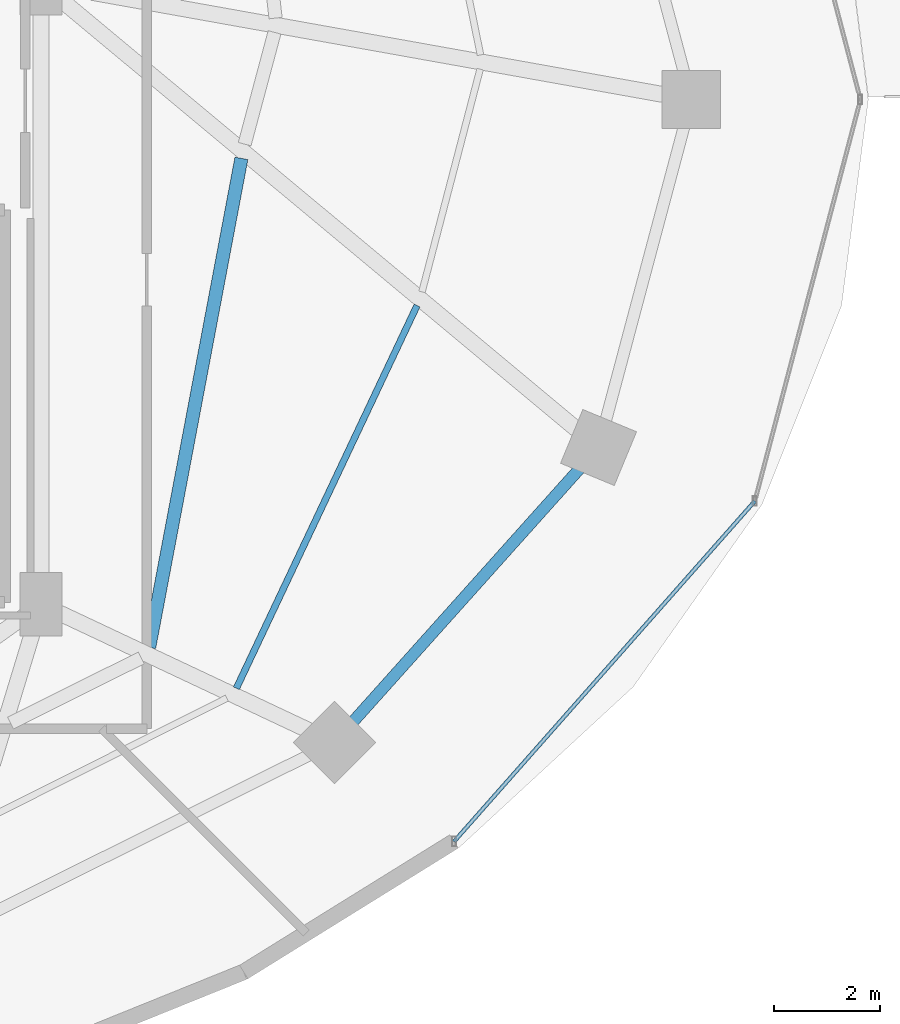
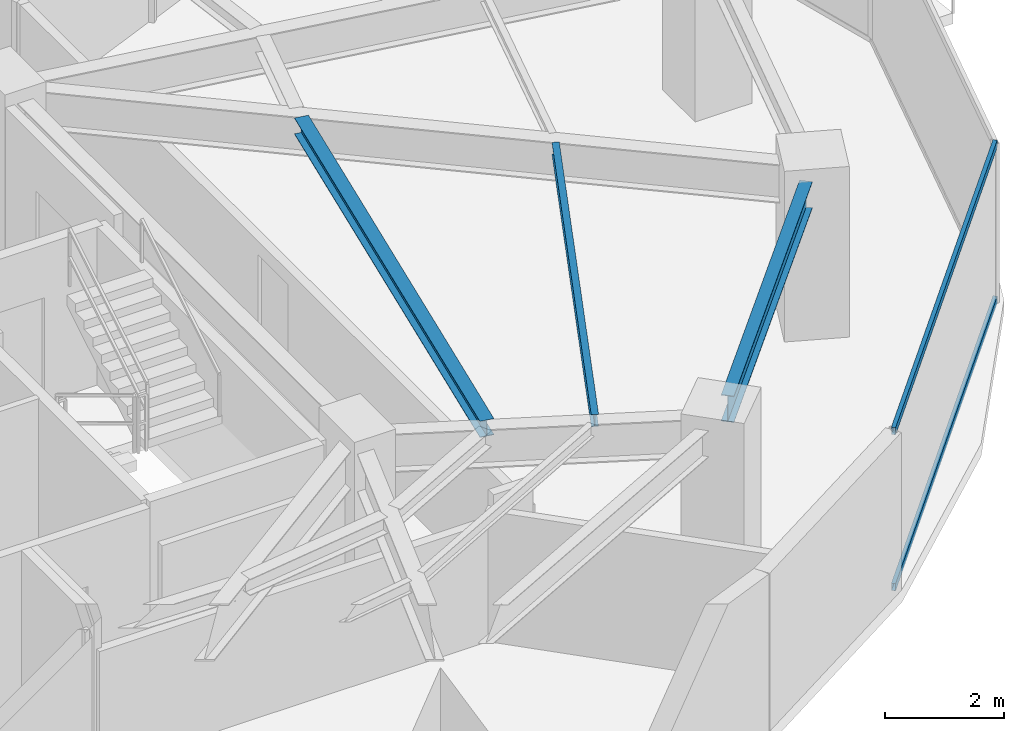
# One storey, part 13 of 31: 3 beams, 2 members, 1 element without a shape of its own.
"""IFC4 building model written with IfcOpenShell, lengths in metres."""

from ifc_helpers import new_model, si_unit, direction, frame, origin, origin_2d, place, context, subcontext, project, spatial, hollow_rectangle, i_section, extrude, material, material_profile, profile_set, type_object, element, aggregate, save


model = new_model("IFC4")

# Units and contexts
model_context = context("Model", 3, precision=1e-05, world=origin(), true_north=direction((0.0, 1.0)))
body_context = subcontext(model_context, "Body", "Model", "MODEL_VIEW")
ifc_project = project(units=[si_unit("LENGTHUNIT", "METRE"), si_unit("AREAUNIT", "SQUARE_METRE"), si_unit("VOLUMEUNIT", "CUBIC_METRE"), si_unit("PLANEANGLEUNIT", "RADIAN"), si_unit("MASSUNIT", "GRAM", prefix="KILO")], contexts=[model_context])

# Site, building, storey
site_placement = place(None, origin())
site = spatial("IfcSite", under=ifc_project, at=site_placement, CompositionType="ELEMENT")
building_placement = place(site_placement, origin())
building = spatial("IfcBuilding", under=site, at=building_placement, Name="Vorneva Point Tower", CompositionType="ELEMENT")
storey_placement = place(building_placement, frame((0.0, 0.0, 103.300048828125)))
storey = spatial("IfcBuildingStorey", under=building, at=storey_placement, Name="L27", CompositionType="ELEMENT", Elevation=103.300048828125)

# Beams
ifc_material_1 = material(Name="Steel S355", Category="steel")
ifc_material_profile_1 = material_profile(ifc_material_1, i_section(OverallWidth=0.1240234375, OverallDepth=0.248046875, WebThickness=0.0048828125, FlangeThickness=0.008056640625, at=origin_2d()), Name="25B1")
ifc_profile_set_1 = profile_set([ifc_material_profile_1], Name="Steel S355")
beam_type_1 = type_object("IfcBeamType", Name="BM-JST-25B1", PredefinedType="JOIST", material=ifc_profile_set_1)
beam_1_placement = place(storey_placement, frame((52.444580078125, 14.86328125, 3.115966796875), z_axis=(0.426826218091, 0.904333666049, 0.0), x_axis=(-0.904333666049, 0.426826218091, 0.0)))
element("IfcBeam", 1, at=beam_1_placement, inside=storey, type_object=beam_type_1, Name="L27 Secondary Floor Beam 1.15", PredefinedType="JOIST", context=body_context, shape_type="SweptSolid", body=[
    extrude(i_section(OverallWidth=0.1240234375, OverallDepth=0.248046875, WebThickness=0.0048828125, FlangeThickness=0.008056640625, at=origin_2d()), origin(), (0.0, 0.0, 1.0), 8.006103515625),
])
ifc_material_profile_2 = material_profile(ifc_material_1, i_section(OverallWidth=0.2490234375, OverallDepth=0.333984375, WebThickness=0.008056640625, FlangeThickness=0.010986328125, at=origin_2d()), Name="35Sh1")
ifc_profile_set_2 = profile_set([ifc_material_profile_2], Name="Steel S355")
beam_type_2 = type_object("IfcBeamType", Name="BM-SEC-35Sh1", PredefinedType="BEAM", material=ifc_profile_set_2)
beam_2_placement = place(storey_placement, frame((50.794921875, 15.635009765625, 3.072998046875), z_axis=(0.185268492404, 0.982687939136, 0.0), x_axis=(-0.982687939136, 0.185268492404, 0.0)))
element("IfcBeam", 2, at=beam_2_placement, inside=storey, type_object=beam_type_2, Name="L27 Secondary Floor Beam 2.15", PredefinedType="BEAM", context=body_context, shape_type="SweptSolid", body=[
    extrude(i_section(OverallWidth=0.2490234375, OverallDepth=0.333984375, WebThickness=0.008056640625, FlangeThickness=0.010986328125, at=origin_2d()), origin(), (0.0, 0.0, 1.0), 9.41552734375),
])
ifc_material_profile_3 = material_profile(ifc_material_1, i_section(OverallWidth=0.219970703125, OverallDepth=0.54296875, WebThickness=0.009521484375, FlangeThickness=0.013427734375, at=origin_2d()), Name="55B1")
ifc_profile_set_3 = profile_set([ifc_material_profile_3], Name="Steel S355")
beam_type_3 = type_object("IfcBeamType", Name="BM-SPN-55B1", PredefinedType="SPANDREL", material=ifc_profile_set_3)
beam_3_placement = place(storey_placement, frame((54.65576171875, 14.236328125, 2.968505859375), z_axis=(0.667073815664, 0.744991627105, 0.0), x_axis=(-0.744991627105, 0.667073815664, 0.0)))
element("IfcBeam", 3, at=beam_3_placement, inside=storey, type_object=beam_type_3, Name="L27 Perimeter Spandrel Ring Beam 15", PredefinedType="SPANDREL", context=body_context, shape_type="SweptSolid", body=[
    extrude(i_section(OverallWidth=0.219970703125, OverallDepth=0.54296875, WebThickness=0.009521484375, FlangeThickness=0.013427734375, at=origin_2d()), origin(), (0.0, 0.0, 1.0), 6.420166015625),
])

# Curtain wall, members
ifc_material_2 = material(Name="Pale anodised aluminium", Category="aluminium")
curtain_wall_type = type_object("IfcCurtainWallType", Name="CW-HTL-SYS", PredefinedType="NOTDEFINED", material=ifc_material_2)
curtain_wall_placement = place(storey_placement, origin())
curtain_wall = element("IfcCurtainWall", 4, at=curtain_wall_placement, inside=storey, type_object=curtain_wall_type, Name="L27 Unitised Curtain Wall CW-L27-R01", PredefinedType="NOTDEFINED")
ifc_material_profile_4 = material_profile(ifc_material_2, hollow_rectangle(XDim=0.074951171875, YDim=0.14990234375, WallThickness=0.00390625, at=origin_2d()), Name="AL-TRN 150x75x4")
ifc_profile_set_4 = profile_set([ifc_material_profile_4], Name="Pale anodised aluminium")
member_type = type_object("IfcMemberType", Name="CW-TRN-150", PredefinedType="USERDEFINED", material=ifc_profile_set_4)
member_1_placement = place(storey_placement, frame((56.5615234375, 11.9638671875, 0.02001953125), z_axis=(0.662137326257, 0.74938251993, 0.0), x_axis=(-0.74938251993, 0.662137326257, 0.0)))
member_1 = element("IfcMember", 5, at=member_1_placement, type_object=member_type, Name="CW-L27-R01 Transom 01.1", ObjectType="TRANSOM", PredefinedType="USERDEFINED", context=body_context, shape_type="SweptSolid", body=[
    extrude(hollow_rectangle(XDim=0.074951171875, YDim=0.14990234375, WallThickness=0.00390625, at=origin_2d()), origin(), (0.0, 0.0, 1.0), 8.59375),
])
member_2_placement = place(storey_placement, frame((56.5615234375, 11.9638671875, 3.219970703125), z_axis=(0.662137326257, 0.74938251993, 0.0), x_axis=(-0.74938251993, 0.662137326257, 0.0)))
member_2 = element("IfcMember", 6, at=member_2_placement, type_object=member_type, Name="CW-L27-R01 Transom 01.2", ObjectType="TRANSOM", PredefinedType="USERDEFINED", context=body_context, shape_type="SweptSolid", body=[
    extrude(hollow_rectangle(XDim=0.074951171875, YDim=0.14990234375, WallThickness=0.00390625, at=origin_2d()), origin(), (0.0, 0.0, 1.0), 8.59375),
])
aggregate(curtain_wall, [member_1, member_2])

save(model, "model.ifc")
